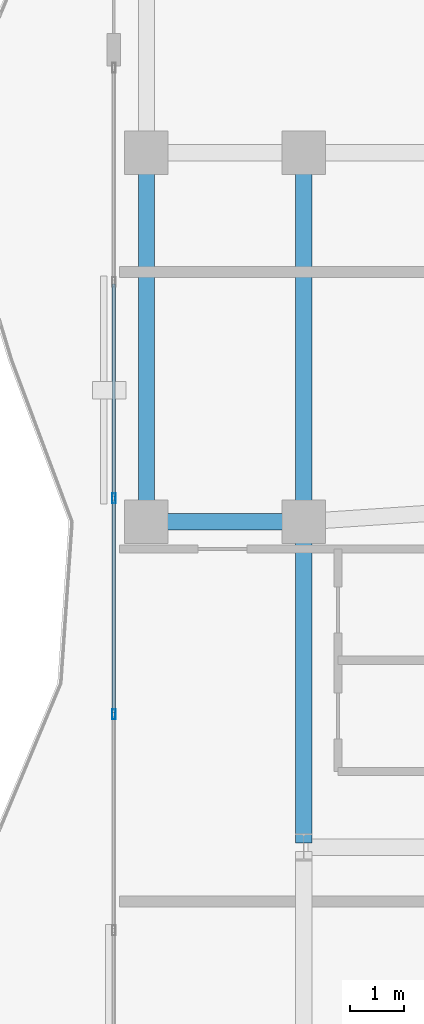
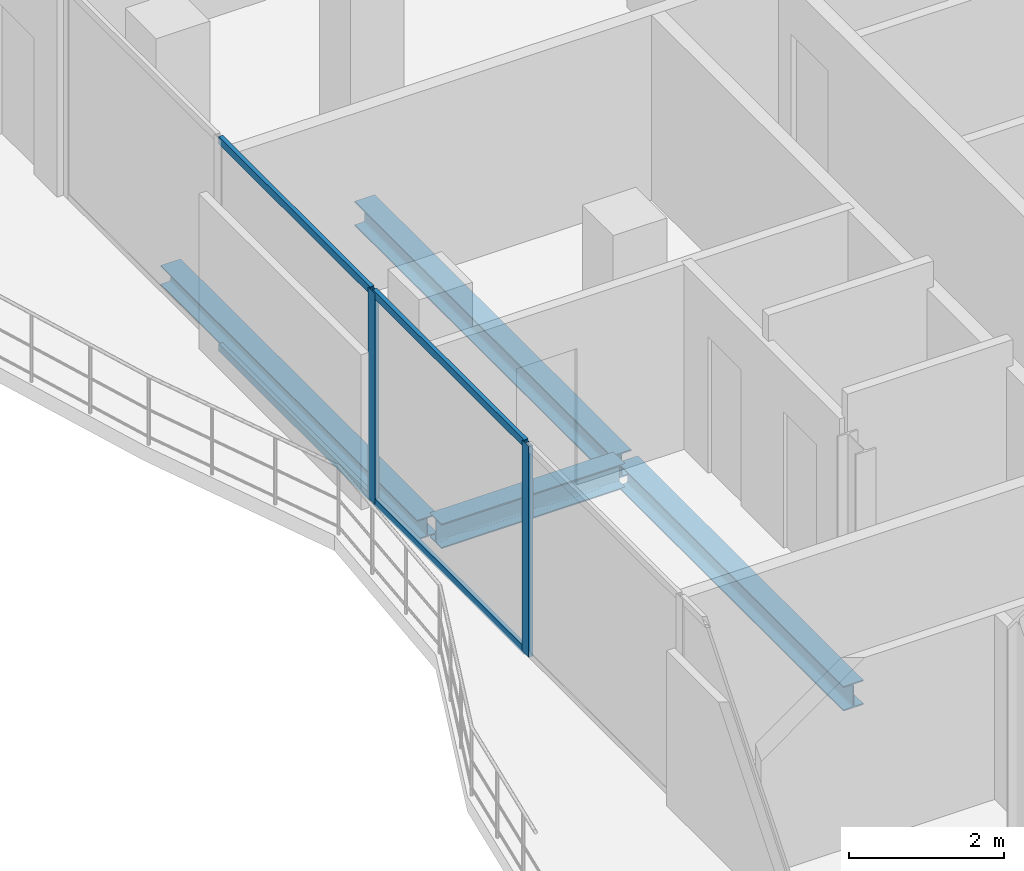
# One storey, part 7 of 23: 6 members, 4 beams, 1 element without a shape of its own.
"""IFC4 building model written with IfcOpenShell, lengths in metres."""

from ifc_helpers import new_model, si_unit, direction, frame, origin, origin_2d, place, context, subcontext, project, spatial, hollow_rectangle, i_section, extrude, material, layer, layer_set, material_profile, profile_set, type_object, element, aggregate, save


model = new_model("IFC4")

# Units and contexts
model_context = context("Model", 3, precision=1e-05, world=origin(), true_north=direction((0.0, 1.0)))
body_context = subcontext(model_context, "Body", "Model", "MODEL_VIEW")
ifc_project = project(units=[si_unit("LENGTHUNIT", "METRE"), si_unit("AREAUNIT", "SQUARE_METRE"), si_unit("VOLUMEUNIT", "CUBIC_METRE"), si_unit("PLANEANGLEUNIT", "RADIAN"), si_unit("MASSUNIT", "GRAM", prefix="KILO")], contexts=[model_context])

# Site, building, storey
site_placement = place(None, origin())
site = spatial("IfcSite", under=ifc_project, at=site_placement, CompositionType="ELEMENT")
building_placement = place(site_placement, origin())
building = spatial("IfcBuilding", under=site, at=building_placement, Name="Catumbela Crestline Tower", CompositionType="ELEMENT")
storey_placement = place(building_placement, frame((0.0, 0.0, 168.6)))
storey = spatial("IfcBuildingStorey", under=building, at=storey_placement, Name="L43", CompositionType="ELEMENT", Elevation=168.6)

# Beams
ifc_material_1 = material(Name="Structural steel S355J2", Category="steel")
ifc_material_profile_1 = material_profile(ifc_material_1, i_section(OverallWidth=0.3, OverallDepth=0.39, WebThickness=0.011, FlangeThickness=0.019, FilletRadius=0.027, at=origin_2d()), Name="HEA 400")
ifc_profile_set_1 = profile_set([ifc_material_profile_1], Name="Structural steel S355J2")
beam_type_1 = type_object("IfcBeamType", Name="BG-HEA400", PredefinedType="BEAM", material=ifc_profile_set_1)
beam_1_placement = place(storey_placement, frame((5.68, 24.0, -0.455), z_axis=(1.0, 0.0, 0.0), x_axis=(0.0, 1.0, 0.0)))
element("IfcBeam", 1, at=beam_1_placement, inside=storey, type_object=beam_type_1, Name="L43 Beam BM-L43-S01", PredefinedType="BEAM", context=body_context, shape_type="SweptSolid", body=[
    extrude(i_section(OverallWidth=0.3, OverallDepth=0.39, WebThickness=0.011, FlangeThickness=0.019, FilletRadius=0.027, at=origin_2d()), origin(), (0.0, 0.0, 1.0), 2.74),
])
beam_2_placement = place(storey_placement, frame((8.5, 24.08, -0.455), z_axis=(0.0, 1.0, 0.0), x_axis=(-1.0, 0.0, 0.0)))
element("IfcBeam", 2, at=beam_2_placement, inside=storey, type_object=beam_type_1, Name="L43 Beam BM-L43-SN16", PredefinedType="BEAM", context=body_context, shape_type="SweptSolid", body=[
    extrude(i_section(OverallWidth=0.3, OverallDepth=0.39, WebThickness=0.011, FlangeThickness=0.019, FilletRadius=0.027, at=origin_2d()), origin(), (0.0, 0.0, 1.0), 6.64),
])
beam_3_placement = place(storey_placement, frame((8.5, 18.08, -0.455), z_axis=(0.0, 1.0, 0.0), x_axis=(-1.0, 0.0, 0.0)))
element("IfcBeam", 3, at=beam_3_placement, inside=storey, type_object=beam_type_1, Name="L43 Beam BM-L43-WNS39", PredefinedType="BEAM", context=body_context, shape_type="SweptSolid", body=[
    extrude(i_section(OverallWidth=0.3, OverallDepth=0.39, WebThickness=0.011, FlangeThickness=0.019, FilletRadius=0.027, at=origin_2d()), origin(), (0.0, 0.0, 1.0), 5.84),
])

# Curtain wall, members
ifc_material_2 = material(Name="Aluminium alloy AW-6060-T66", Category="aluminium")
ifc_layer = layer(ifc_material_2, 0.18, Name="Aluminium alloy AW-6060-T66")
ifc_layer_set = layer_set([ifc_layer], Name="Aluminium alloy AW-6060-T66")
curtain_wall_type = type_object("IfcCurtainWallType", Name="CWU-Z3", PredefinedType="USERDEFINED", material=ifc_layer_set)
curtain_wall_placement = place(storey_placement, origin())
curtain_wall = element("IfcCurtainWall", 4, at=curtain_wall_placement, inside=storey, type_object=curtain_wall_type, Name="L43 Unitised Curtain Wall CW-L43-E9S2", ObjectType="UNITISED", PredefinedType="USERDEFINED")
ifc_material_profile_2 = material_profile(ifc_material_2, hollow_rectangle(XDim=0.065, YDim=0.18, WallThickness=0.004, at=origin_2d()), Name="ALU 180x65x4")
ifc_profile_set_2 = profile_set([ifc_material_profile_2], Name="Aluminium alloy AW-6060-T66")
member_type_1 = type_object("IfcMemberType", Name="MUL-180X65", PredefinedType="MULLION", material=ifc_profile_set_2)
member_1_placement = place(storey_placement, frame((5.0, 24.4333, 0.0), z_axis=(0.0, 0.0, 1.0), x_axis=(1.0, 0.0, 0.0)))
member_1 = element("IfcMember", 5, at=member_1_placement, type_object=member_type_1, Name="CWU-Z3 mullion 3", PredefinedType="MULLION", context=body_context, shape_type="SweptSolid", body=[
    extrude(hollow_rectangle(XDim=0.065, YDim=0.18, WallThickness=0.004, at=origin_2d()), origin(), (0.0, 0.0, 1.0), 3.33),
])
member_2_placement = place(storey_placement, frame((5.0, 20.45, 0.0), z_axis=(0.0, 0.0, 1.0), x_axis=(1.0, 0.0, 0.0)))
member_2 = element("IfcMember", 6, at=member_2_placement, type_object=member_type_1, Name="CWU-Z3 mullion 4", PredefinedType="MULLION", context=body_context, shape_type="SweptSolid", body=[
    extrude(hollow_rectangle(XDim=0.065, YDim=0.18, WallThickness=0.004, at=origin_2d()), origin(), (0.0, 0.0, 1.0), 3.33),
])

# Beam
ifc_material_profile_3 = material_profile(ifc_material_1, i_section(OverallWidth=0.3, OverallDepth=0.31, WebThickness=0.009, FlangeThickness=0.0155, FilletRadius=0.027, at=origin_2d()), Name="HEA 320")
ifc_profile_set_3 = profile_set([ifc_material_profile_3], Name="Structural steel S355J2")
beam_type_2 = type_object("IfcBeamType", Name="BS-HEA320", PredefinedType="SPANDREL", material=ifc_profile_set_3)
beam_4_placement = place(storey_placement, frame((5.6, 24.08, -0.415), z_axis=(0.0, 1.0, 0.0), x_axis=(-1.0, 0.0, 0.0)))
element("IfcBeam", 7, at=beam_4_placement, inside=storey, type_object=beam_type_2, Name="L43 Spandrel SP-L43-SN14", PredefinedType="SPANDREL", context=body_context, shape_type="SweptSolid", body=[
    extrude(i_section(OverallWidth=0.3, OverallDepth=0.31, WebThickness=0.009, FlangeThickness=0.0155, FilletRadius=0.027, at=origin_2d()), origin(), (0.0, 0.0, 1.0), 6.64),
])

# Member
ifc_material_profile_4 = material_profile(ifc_material_2, hollow_rectangle(XDim=0.06, YDim=0.12, WallThickness=0.0035, at=origin_2d()), Name="ALU 120x60x3.5")
ifc_profile_set_4 = profile_set([ifc_material_profile_4], Name="Aluminium alloy AW-6060-T66")
member_type_2 = type_object("IfcMemberType", Name="TRN-120X60", PredefinedType="USERDEFINED", material=ifc_profile_set_4)
member_3_placement = place(storey_placement, frame((5.0, 28.3842, 0.03), z_axis=(0.0, -1.0, 0.0), x_axis=(1.0, 0.0, 0.0)))
member_3 = element("IfcMember", 8, at=member_3_placement, type_object=member_type_2, Name="CWU-Z3 transom 2.1", ObjectType="TRANSOM", PredefinedType="USERDEFINED", context=body_context, shape_type="SweptSolid", body=[
    extrude(hollow_rectangle(XDim=0.06, YDim=0.12, WallThickness=0.0035, at=origin_2d()), origin(), (0.0, 0.0, 1.0), 3.9184),
])

member_4_placement = place(storey_placement, frame((5.0, 28.3842, 3.3), z_axis=(0.0, -1.0, 0.0), x_axis=(1.0, 0.0, 0.0)))
member_4 = element("IfcMember", 9, at=member_4_placement, type_object=member_type_2, Name="CWU-Z3 transom 2.2", ObjectType="TRANSOM", PredefinedType="USERDEFINED", context=body_context, shape_type="SweptSolid", body=[
    extrude(hollow_rectangle(XDim=0.06, YDim=0.12, WallThickness=0.0035, at=origin_2d()), origin(), (0.0, 0.0, 1.0), 3.9184),
])

member_5_placement = place(storey_placement, frame((5.0, 24.4008, 0.03), z_axis=(0.0, -1.0, 0.0), x_axis=(1.0, 0.0, 0.0)))
member_5 = element("IfcMember", 10, at=member_5_placement, type_object=member_type_2, Name="CWU-Z3 transom 3.1", ObjectType="TRANSOM", PredefinedType="USERDEFINED", context=body_context, shape_type="SweptSolid", body=[
    extrude(hollow_rectangle(XDim=0.06, YDim=0.12, WallThickness=0.0035, at=origin_2d()), origin(), (0.0, 0.0, 1.0), 3.9183),
])

member_6_placement = place(storey_placement, frame((5.0, 24.4008, 3.3), z_axis=(0.0, -1.0, 0.0), x_axis=(1.0, 0.0, 0.0)))
member_6 = element("IfcMember", 11, at=member_6_placement, type_object=member_type_2, Name="CWU-Z3 transom 3.2", ObjectType="TRANSOM", PredefinedType="USERDEFINED", context=body_context, shape_type="SweptSolid", body=[
    extrude(hollow_rectangle(XDim=0.06, YDim=0.12, WallThickness=0.0035, at=origin_2d()), origin(), (0.0, 0.0, 1.0), 3.9183),
])

aggregate(curtain_wall, [member_1, member_2, member_3, member_4, member_5, member_6])

save(model, "model.ifc")
